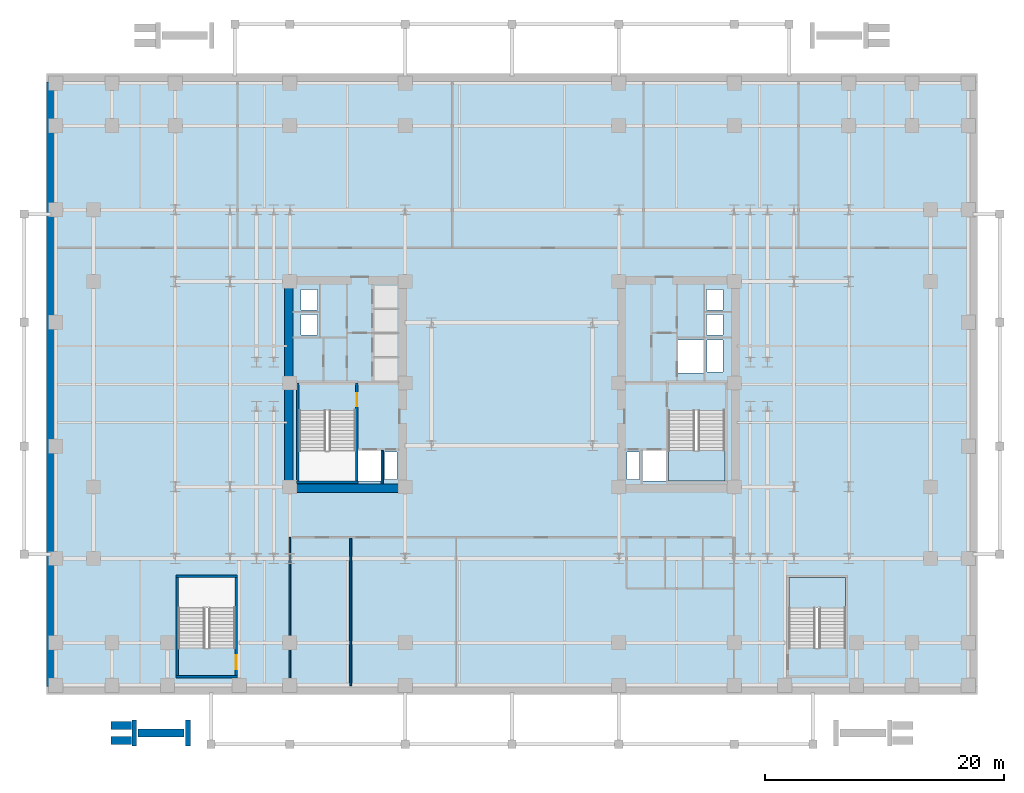
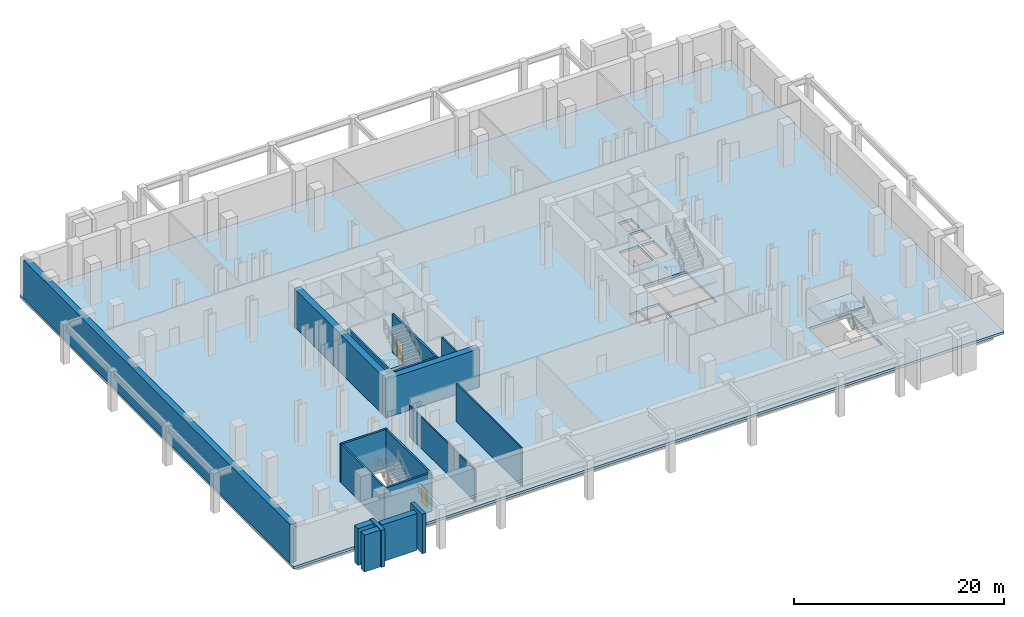
# One storey, part 5 of 13: 18 walls, 3 slabs, 2 doors, 2 openings, 2 elements without a shape of their own.
"""IFC4 building model written with IfcOpenShell, lengths in metres."""

from ifc_helpers import new_model, si_unit, direction, frame, frame_2d, origin, place, context, subcontext, project, spatial, polyline, rectangle, outline, extrude, material, layer, layer_set, type_object, element, fill, aggregate, save


model = new_model("IFC4")

# Units and contexts
model_context = context("Model", 3, precision=1e-05, world=origin(), true_north=direction((0.0, 1.0)))
body_context = subcontext(model_context, "Body", "Model", "MODEL_VIEW")
ifc_project = project(units=[si_unit("LENGTHUNIT", "METRE"), si_unit("AREAUNIT", "SQUARE_METRE"), si_unit("VOLUMEUNIT", "CUBIC_METRE"), si_unit("PLANEANGLEUNIT", "RADIAN"), si_unit("MASSUNIT", "GRAM", prefix="KILO")], contexts=[model_context])

# Site, building, storey
site_placement = place(None, origin())
site = spatial("IfcSite", under=ifc_project, at=site_placement, CompositionType="ELEMENT")
building_placement = place(site_placement, origin())
building = spatial("IfcBuilding", under=site, at=building_placement, Name="Velakula Bourse", CompositionType="ELEMENT")
storey_placement = place(building_placement, frame((0.0, 0.0, -4.800048828125)))
storey = spatial("IfcBuildingStorey", under=building, at=storey_placement, Name="B01", CompositionType="ELEMENT", Elevation=-4.800048828125)

# Stair, slab
ifc_material_1 = material(Name="Concrete M45 (fck 45 MPa)", Category="concrete")
stair_type = type_object("IfcStairType", Name="STR-DOG-480", PredefinedType="HALF_TURN_STAIR", material=ifc_material_1)
stair_1_placement = place(storey_placement, origin())
stair_1 = element("IfcStair", 1, at=stair_1_placement, inside=storey, type_object=stair_type, Name="B01 East Core Exit Stair ST-E1", PredefinedType="HALF_TURN_STAIR")
ifc_layer_1 = layer(ifc_material_1, 0.199951171875, Name="Concrete M45 (fck 45 MPa)", Category="concrete")
ifc_layer_set_1 = layer_set([ifc_layer_1], Name="Concrete M45 (fck 45 MPa)")
slab_type_1 = type_object("IfcSlabType", Name="SLB-STAIR-LND-200", PredefinedType="LANDING", material=ifc_layer_set_1)
slab_1_placement = place(storey_placement, frame((0.0, 0.0, 2.199951171875)))
slab_1 = element("IfcSlab", 2, at=slab_1_placement, type_object=slab_type_1, Name="ST-E1 landing 1", PredefinedType="LANDING", context=body_context, shape_type="SweptSolid", body=[
    extrude(outline(polyline([(13.10009765625, -5.56005859375), (13.10009765625, -8.10009765625), (17.820068359375, -8.10009765625), (17.820068359375, -5.56005859375), (13.10009765625, -5.56005859375)])), origin(), (0.0, 0.0, 1.0), 0.2001953125),
])
aggregate(stair_1, [slab_1])

stair_2_placement = place(storey_placement, origin())
stair_2 = element("IfcStair", 3, at=stair_2_placement, inside=storey, type_object=stair_type, Name="B01 East Podium Exit Stair ST-P2", PredefinedType="HALF_TURN_STAIR")
slab_2_placement = place(storey_placement, frame((0.0, 0.0, 2.199951171875)))
slab_2 = element("IfcSlab", 4, at=slab_2_placement, type_object=slab_type_1, Name="ST-P2 landing 1", PredefinedType="LANDING", context=body_context, shape_type="SweptSolid", body=[
    extrude(outline(polyline([(27.919921875, -18.739990234375), (27.919921875, -16.199951171875), (23.199951171875, -16.199951171875), (23.199951171875, -18.739990234375), (27.919921875, -18.739990234375)])), origin(), (0.0, 0.0, 1.0), 0.2001953125),
])
aggregate(stair_2, [slab_2])

# Slab
ifc_material_2 = material(Name="Concrete M50 (fck 50 MPa)", Category="concrete")
ifc_layer_2 = layer(ifc_material_2, 0.300048828125, Name="Concrete M50 (fck 50 MPa)", Category="concrete")
ifc_layer_set_2 = layer_set([ifc_layer_2], Name="Concrete M50 (fck 50 MPa)")
slab_type_2 = type_object("IfcSlabType", Name="SLB-SUB-300", PredefinedType="FLOOR", material=ifc_layer_set_2)
slab_3_placement = place(storey_placement, frame((0.0, 0.0, -0.300048828125)))
element("IfcSlab", 5, at=slab_3_placement, inside=storey, type_object=slab_type_2, Name="B01 Suspended Structural Floor Slab", PredefinedType="FLOOR", context=body_context, shape_type="SweptSolid", body=[
    extrude(outline(polyline([(-39.0, -26.0), (39.0, -26.0), (39.0, 26.0), (-39.0, 26.0), (-39.0, -26.0)]), holes=[polyline([(-17.820068359375, -8.10009765625), (-13.10009765625, -8.10009765625), (-13.10009765625, -2.199951171875), (-17.820068359375, -2.199951171875), (-17.820068359375, -8.10009765625)]), polyline([(13.10009765625, -8.10009765625), (17.820068359375, -8.10009765625), (17.820068359375, -2.199951171875), (13.10009765625, -2.199951171875), (13.10009765625, -8.10009765625)]), polyline([(-27.919921875, -22.10009765625), (-23.199951171875, -22.10009765625), (-23.199951171875, -16.199951171875), (-27.919921875, -16.199951171875), (-27.919921875, -22.10009765625)]), polyline([(23.199951171875, -22.10009765625), (27.919921875, -22.10009765625), (27.919921875, -16.199951171875), (23.199951171875, -16.199951171875), (23.199951171875, -22.10009765625)]), polyline([(-12.89990234375, -8.10009765625), (-10.949951171875, -8.10009765625), (-10.949951171875, -5.550048828125), (-12.89990234375, -5.550048828125), (-12.89990234375, -8.10009765625)]), polyline([(10.949951171875, -8.10009765625), (12.89990234375, -8.10009765625), (12.89990234375, -5.550048828125), (10.949951171875, -5.550048828125), (10.949951171875, -8.10009765625)]), polyline([(13.89990234375, 0.919921875), (16.050048828125, 0.919921875), (16.050048828125, 3.719970703125), (13.89990234375, 3.719970703125), (13.89990234375, 0.919921875)]), polyline([(-10.679931640625, -7.97998046875), (-9.6201171875, -7.97998046875), (-9.6201171875, -5.669921875), (-10.679931640625, -5.669921875), (-10.679931640625, -7.97998046875)]), polyline([(-17.679931640625, 4.139892578125), (-16.27001953125, 4.139892578125), (-16.27001953125, 5.85009765625), (-17.679931640625, 5.85009765625), (-17.679931640625, 4.139892578125)]), polyline([(-17.679931640625, 6.2099609375), (-16.27001953125, 6.2099609375), (-16.27001953125, 7.919921875), (-17.679931640625, 7.919921875), (-17.679931640625, 6.2099609375)]), polyline([(9.6201171875, -7.97998046875), (10.679931640625, -7.97998046875), (10.679931640625, -5.669921875), (9.6201171875, -5.669921875), (9.6201171875, -7.97998046875)]), polyline([(16.27001953125, 4.139892578125), (17.679931640625, 4.139892578125), (17.679931640625, 5.85009765625), (16.27001953125, 5.85009765625), (16.27001953125, 4.139892578125)]), polyline([(16.27001953125, 6.2099609375), (17.679931640625, 6.2099609375), (17.679931640625, 7.919921875), (16.27001953125, 7.919921875), (16.27001953125, 6.2099609375)]), polyline([(16.320068359375, 1.0400390625), (17.679931640625, 1.0400390625), (17.679931640625, 3.699951171875), (16.320068359375, 3.699951171875), (16.320068359375, 1.0400390625)])]), origin(), (0.0, 0.0, 1.0), 0.300048828125),
])

# Wall, opening, door
ifc_layer_3 = layer(ifc_material_2, 0.2099609375, Name="Concrete M50 (fck 50 MPa)", Category="concrete")
ifc_layer_set_3 = layer_set([ifc_layer_3], Name="Concrete M50 (fck 50 MPa)")
wall_type_1 = type_object("IfcWallType", Name="WL-CORE-210", PredefinedType="SHEAR", material=ifc_layer_set_3)
wall_1_placement = place(storey_placement, frame((-12.9951171875, -8.10009765625, 0.0), z_axis=(0.0, 0.0, 1.0), x_axis=(0.0, 1.0, 0.0)))
wall_1 = element("IfcWall", 6, at=wall_1_placement, inside=storey, type_object=wall_type_1, Name="B01 Core W Stairwell Shear Wall IN", PredefinedType="SHEAR", context=body_context, shape_type="SweptSolid", body=[
    extrude(rectangle(XDim=8.2001953125, YDim=0.2099609375, at=frame_2d((4.10009765625, 0.0))), origin(), (0.0, 0.0, 1.0), 4.449951171875),
])
opening_1_placement = place(wall_1_placement, frame((6.25, 0.0, 0.0)))
opening_1 = element("IfcOpeningElement", 7, at=opening_1_placement, cuts=wall_1, Name="Opening D-STW1", PredefinedType="OPENING", context=body_context, shape_type="SweptSolid", body=[
    extrude(rectangle(XDim=1.10009765625, YDim=2.14990234375, at=frame_2d((0.550048828125, 1.074951171875))), frame((0.0, 0.114990234375, 0.0), z_axis=(0.0, -1.0, 0.0), x_axis=(1.0, 0.0, 0.0)), (0.0, 0.0, 1.0), 0.22998046875),
])
ifc_material_3 = material(Name="Galvanised painted hollow steel fire door", Category="steel")
door_type_1 = type_object("IfcDoorType", Name="DR-FD120-1100x2150", OperationType="NOTDEFINED", PredefinedType="DOOR", material=ifc_material_3)
door_1_placement = place(opening_1_placement, origin())
door_1 = element("IfcDoor", 8, at=door_1_placement, inside=storey, type_object=door_type_1, Name="B01 Stair ST-W1 Fire Door", OperationType="SINGLE_SWING_LEFT", OverallHeight=2.14990234375, OverallWidth=1.10009765625, PredefinedType="DOOR", context=body_context, shape_type="SweptSolid", body=[
    extrude(rectangle(XDim=1.10009765625, YDim=2.14990234375, at=frame_2d((0.550048828125, 1.074951171875))), frame((0.0, 0.02490234375, 0.0), z_axis=(0.0, -1.0, 0.0), x_axis=(1.0, 0.0, 0.0)), (0.0, 0.0, 1.0), 0.050048828125),
])
fill(opening_1, door_1)

# Walls
wall_2_placement = place(storey_placement, frame((-17.925048828125, -8.10009765625, 0.0), z_axis=(0.0, 0.0, 1.0), x_axis=(0.0, 1.0, 0.0)))
element("IfcWall", 9, at=wall_2_placement, inside=storey, type_object=wall_type_1, Name="B01 Core W Stairwell Shear Wall OUT", PredefinedType="SHEAR", context=body_context, shape_type="SweptSolid", body=[
    extrude(rectangle(XDim=8.2001953125, YDim=0.2099609375, at=frame_2d((4.10009765625, 0.0))), origin(), (0.0, 0.0, 1.0), 4.449951171875),
])
wall_3_placement = place(storey_placement, frame((-18.030029296875, -8.205078125, 0.0), z_axis=(0.0, 0.0, 1.0), x_axis=(1.0, 0.0, 0.0)))
element("IfcWall", 10, at=wall_3_placement, inside=storey, type_object=wall_type_1, Name="B01 Core W Stairwell Shear Wall S", PredefinedType="SHEAR", context=body_context, shape_type="SweptSolid", body=[
    extrude(rectangle(XDim=5.14013671875, YDim=0.2099609375, at=frame_2d((2.570068359375, 0.0))), origin(), (0.0, 0.0, 1.0), 4.449951171875),
])
for number, where, z_axis, x_axis, name in (
    (11, (-28.1298828125, -24.5048828125, 0.0), (0.0, 0.0, 1.0), (1.0, 0.0, 0.0), "B01 Podium Stair ST-P1 Shear Wall S"),
    (12, (-28.1298828125, -16.094970703125, 0.0), (0.0, 0.0, 1.0), (1.0, 0.0, 0.0), "B01 Podium Stair ST-P1 Shear Wall N"),
):
    element("IfcWall", number, at=place(storey_placement, frame(where, z_axis=z_axis, x_axis=x_axis)), inside=storey, type_object=wall_type_1, Name=name, PredefinedType="SHEAR", context=body_context, shape_type="SweptSolid", body=[
        extrude(rectangle(XDim=5.139892578125, YDim=0.2099609375, at=frame_2d((2.56982421875, 0.0))), origin(), (0.0, 0.0, 1.0), 4.449951171875),
    ])
wall_4_placement = place(storey_placement, frame((-28.02490234375, -24.39990234375, 0.0), z_axis=(0.0, 0.0, 1.0), x_axis=(0.0, 1.0, 0.0)))
element("IfcWall", 13, at=wall_4_placement, inside=storey, type_object=wall_type_1, Name="B01 Podium Stair ST-P1 Shear Wall W", PredefinedType="SHEAR", context=body_context, shape_type="SweptSolid", body=[
    extrude(rectangle(XDim=8.199951171875, YDim=0.2099609375, at=frame_2d((4.10009765625, 0.0))), origin(), (0.0, 0.0, 1.0), 4.449951171875),
])

# Wall, opening, door
wall_5_placement = place(storey_placement, frame((-23.094970703125, -24.39990234375, 0.0), z_axis=(0.0, 0.0, 1.0), x_axis=(0.0, 1.0, 0.0)))
wall_5 = element("IfcWall", 14, at=wall_5_placement, inside=storey, type_object=wall_type_1, Name="B01 Podium Stair ST-P1 Shear Wall E", PredefinedType="SHEAR", context=body_context, shape_type="SweptSolid", body=[
    extrude(rectangle(XDim=8.199951171875, YDim=0.2099609375, at=frame_2d((4.10009765625, 0.0))), origin(), (0.0, 0.0, 1.0), 4.449951171875),
])
opening_2_placement = place(wall_5_placement, frame((0.550048828125, 0.0, 0.0)))
opening_2 = element("IfcOpeningElement", 15, at=opening_2_placement, cuts=wall_5, Name="Opening D-P1", PredefinedType="OPENING", context=body_context, shape_type="SweptSolid", body=[
    extrude(rectangle(XDim=1.14990234375, YDim=2.10009765625, at=frame_2d((0.574951171875, 1.050048828125))), frame((0.0, 0.114990234375, 0.0), z_axis=(0.0, -1.0, 0.0), x_axis=(1.0, 0.0, 0.0)), (0.0, 0.0, 1.0), 0.22998046875),
])
door_type_2 = type_object("IfcDoorType", Name="DR-FD120-1150x2100", OperationType="NOTDEFINED", PredefinedType="DOOR", material=ifc_material_3)
door_2_placement = place(opening_2_placement, origin())
door_2 = element("IfcDoor", 16, at=door_2_placement, inside=storey, type_object=door_type_2, Name="B01 Stair ST-P1 Fire Door", OperationType="SINGLE_SWING_LEFT", OverallHeight=2.10009765625, OverallWidth=1.14990234375, PredefinedType="DOOR", context=body_context, shape_type="SweptSolid", body=[
    extrude(rectangle(XDim=1.14990234375, YDim=2.10009765625, at=frame_2d((0.574951171875, 1.050048828125))), frame((0.0, 0.02490234375, 0.0), z_axis=(0.0, -1.0, 0.0), x_axis=(1.0, 0.0, 0.0)), (0.0, 0.0, 1.0), 0.050048828125),
])
fill(opening_2, door_2)

# Walls
ifc_material_4 = material(Name="Concrete M70 (fck 70 MPa)", Category="concrete")
ifc_layer_4 = layer(ifc_material_4, 0.699951171875, Name="Concrete M70 (fck 70 MPa)", Category="concrete")
ifc_layer_set_4 = layer_set([ifc_layer_4], Name="Concrete M70 (fck 70 MPa)")
wall_type_2 = type_object("IfcWallType", Name="WL-CORE-700", PredefinedType="SHEAR", material=ifc_layer_set_4)
wall_6_placement = place(storey_placement, frame((-19.050048828125, -8.699951171875, 0.0), z_axis=(0.0, 0.0, 1.0), x_axis=(1.0, 0.0, 0.0)))
element("IfcWall", 17, at=wall_6_placement, inside=storey, type_object=wall_type_2, Name="B01 Core W Shear Wall S", PredefinedType="SHEAR", context=body_context, shape_type="SweptSolid", body=[
    extrude(rectangle(XDim=10.25, YDim=0.699951171875, at=frame_2d((5.125, 0.0))), origin(), (0.0, 0.0, 1.0), 4.449951171875),
])
wall_7_placement = place(storey_placement, frame((-18.699951171875, -8.35009765625, 0.0), z_axis=(0.0, 0.0, 1.0), x_axis=(0.0, 1.0, 0.0)))
element("IfcWall", 18, at=wall_7_placement, inside=storey, type_object=wall_type_2, Name="B01 Core W Shear Wall W", PredefinedType="SHEAR", context=body_context, shape_type="SweptSolid", body=[
    extrude(rectangle(XDim=16.7001953125, YDim=0.699951171875, at=frame_2d((8.35009765625, 0.0))), origin(), (0.0, 0.0, 1.0), 4.449951171875),
])
ifc_material_5 = material(Name="Fire-rated double-layer gypsum drywall partition", Category="gypsum")
ifc_layer_5 = layer(ifc_material_5, 0.139892578125, Name="Fire-rated double-layer gypsum drywall partition", Category="gypsum")
ifc_layer_set_5 = layer_set([ifc_layer_5], Name="Fire-rated double-layer gypsum drywall partition")
wall_type_3 = type_object("IfcWallType", Name="WL-PART-140", PredefinedType="STANDARD", material=ifc_layer_set_5)
wall_8_placement = place(storey_placement, frame((-18.60009765625, -25.239990234375, 0.0), z_axis=(0.0, 0.0, 1.0), x_axis=(0.0, 1.0, 0.0)))
element("IfcWall", 19, at=wall_8_placement, inside=storey, type_object=wall_type_3, Name="B01 Interior Partition WL-POD-B01-SW-END", PredefinedType="STANDARD", context=body_context, shape_type="SweptSolid", body=[
    extrude(rectangle(XDim=12.419921875, YDim=0.139892578125, at=frame_2d((6.2099609375, 0.0))), origin(), (0.0, 0.0, 1.0), 3.625),
])
wall_9_placement = place(storey_placement, frame((-13.5, -25.239990234375, 0.0), z_axis=(0.0, 0.0, 1.0), x_axis=(0.0, 1.0, 0.0)))
element("IfcWall", 20, at=wall_9_placement, inside=storey, type_object=wall_type_3, Name="B01 Interior Partition WL-POD-B01-SD1", PredefinedType="STANDARD", context=body_context, shape_type="SweptSolid", body=[
    extrude(rectangle(XDim=12.35009765625, YDim=0.139892578125, at=frame_2d((6.175048828125, 0.0))), origin(), (0.0, 0.0, 1.0), 4.429931640625),
])
ifc_layer_6 = layer(ifc_material_4, 0.679931640625, Name="Concrete M70 (fck 70 MPa)", Category="concrete")
ifc_layer_set_6 = layer_set([ifc_layer_6], Name="Concrete M70 (fck 70 MPa)")
wall_type_4 = type_object("IfcWallType", Name="WL-RET-680", PredefinedType="SOLIDWALL", material=ifc_layer_set_6)
wall_10_placement = place(storey_placement, frame((-31.639892578125, -30.300048828125, 0.0), z_axis=(0.0, 0.0, 1.0), x_axis=(0.0, 1.0, 0.0)))
element("IfcWall", 21, at=wall_10_placement, inside=storey, type_object=wall_type_4, Name="B01 Flood-Ramp BOT Bearing Wall SW", PredefinedType="SOLIDWALL", context=body_context, shape_type="SweptSolid", body=[
    extrude(rectangle(XDim=2.199951171875, YDim=0.39990234375, at=frame_2d((1.10009765625, 0.0))), origin(), (0.0, 0.0, 1.0), 4.304931640625),
])
wall_11_placement = place(storey_placement, frame((-27.139892578125, -30.300048828125, 0.0), z_axis=(0.0, 0.0, 1.0), x_axis=(0.0, 1.0, 0.0)))
element("IfcWall", 22, at=wall_11_placement, inside=storey, type_object=wall_type_4, Name="B01 Flood-Ramp TOP Bearing Wall SW", PredefinedType="SOLIDWALL", context=body_context, shape_type="SweptSolid", body=[
    extrude(rectangle(XDim=2.199951171875, YDim=0.39990234375, at=frame_2d((1.10009765625, 0.0))), origin(), (0.0, 0.0, 1.0), 4.60498046875),
])
wall_12_placement = place(storey_placement, frame((-31.320068359375, -29.199951171875, 0.0), z_axis=(0.0, 0.0, 1.0), x_axis=(1.0, 0.0, 0.0)))
element("IfcWall", 23, at=wall_12_placement, inside=storey, type_object=wall_type_4, Name="B01 Flood-Ramp Central Retaining Spine Wall SW", PredefinedType="SOLIDWALL", context=body_context, shape_type="SweptSolid", body=[
    extrude(rectangle(XDim=3.840087890625, YDim=0.679931640625, at=frame_2d((1.919921875, 0.0))), origin(), (0.0, 0.0, 1.0), 4.300048828125),
])
for number, where, z_axis, x_axis, name in (
    (24, (-33.60009765625, -29.820068359375, 0.0), (0.0, 0.0, 1.0), (1.0, 0.0, 0.0), "B01 Flood-Ramp Landing Wall SW-1"),
    (25, (-33.60009765625, -28.580078125, 0.0), (0.0, 0.0, 1.0), (1.0, 0.0, 0.0), "B01 Flood-Ramp Landing Wall SW-2"),
):
    element("IfcWall", number, at=place(storey_placement, frame(where, z_axis=z_axis, x_axis=x_axis)), inside=storey, type_object=wall_type_4, Name=name, PredefinedType="SOLIDWALL", context=body_context, shape_type="SweptSolid", body=[
        extrude(rectangle(XDim=1.739990234375, YDim=0.679931640625, at=frame_2d((0.8701171875, 0.0))), origin(), (0.0, 0.0, 1.0), 4.2900390625),
    ])
wall_13_placement = place(storey_placement, frame((-38.659912109375, -25.320068359375, 0.0), z_axis=(0.0, 0.0, 1.0), x_axis=(0.0, 1.0, 0.0)))
element("IfcWall", 26, at=wall_13_placement, inside=storey, type_object=wall_type_4, Name="B01 Diaphragm Retaining Wall W", PredefinedType="SOLIDWALL", context=body_context, shape_type="SweptSolid", body=[
    extrude(rectangle(XDim=50.64013671875, YDim=0.679931640625, at=frame_2d((25.320068359375, 0.0))), origin(), (0.0, 0.0, 1.0), 4.449951171875),
])
ifc_material_6 = material(Name="Autoclaved aerated concrete blockwork masonry", Category="masonry")
ifc_layer_7 = layer(ifc_material_6, 0.14990234375, Name="Autoclaved aerated concrete blockwork masonry", Category="masonry")
ifc_layer_set_7 = layer_set([ifc_layer_7], Name="Autoclaved aerated concrete blockwork masonry")
wall_type_5 = type_object("IfcWallType", Name="WL-SHAFT-150", PredefinedType="STANDARD", material=ifc_layer_set_7)
wall_14_placement = place(storey_placement, frame((-10.875, -8.35009765625, 0.0), z_axis=(0.0, 0.0, 1.0), x_axis=(0.0, 1.0, 0.0)))
element("IfcWall", 27, at=wall_14_placement, inside=storey, type_object=wall_type_5, Name="B01 Interior Partition WL-CRW-B01-FR-DIV", PredefinedType="STANDARD", context=body_context, shape_type="SweptSolid", body=[
    extrude(rectangle(XDim=2.800048828125, YDim=0.14990234375, at=frame_2d((1.39990234375, 0.0))), origin(), (0.0, 0.0, 1.0), 4.429931640625),
])

save(model, "model.ifc")
